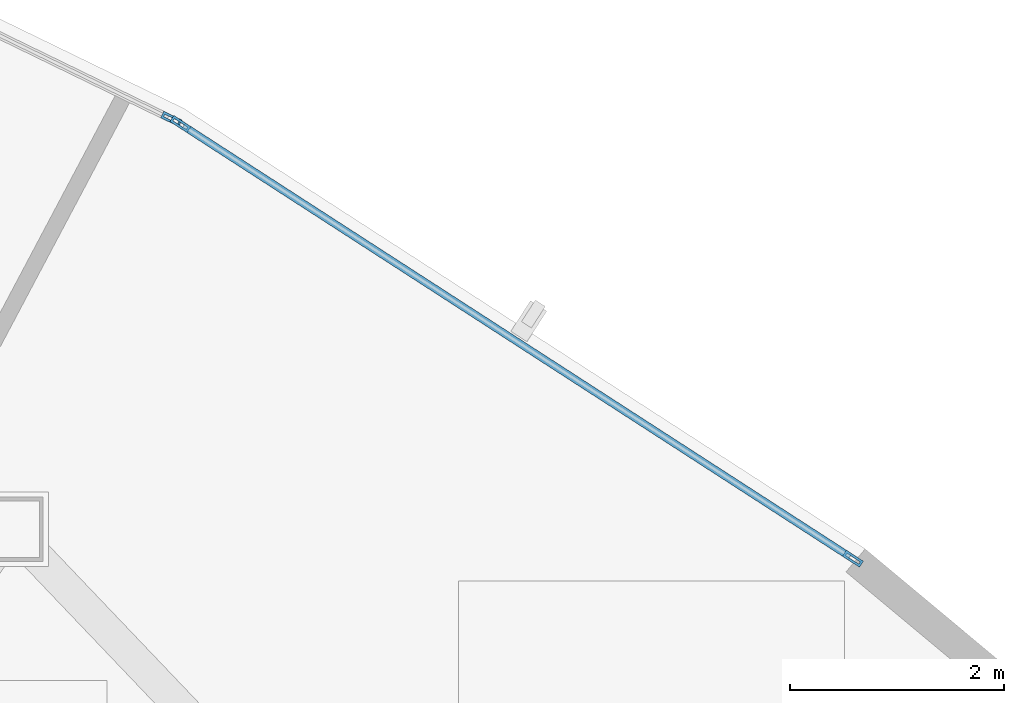
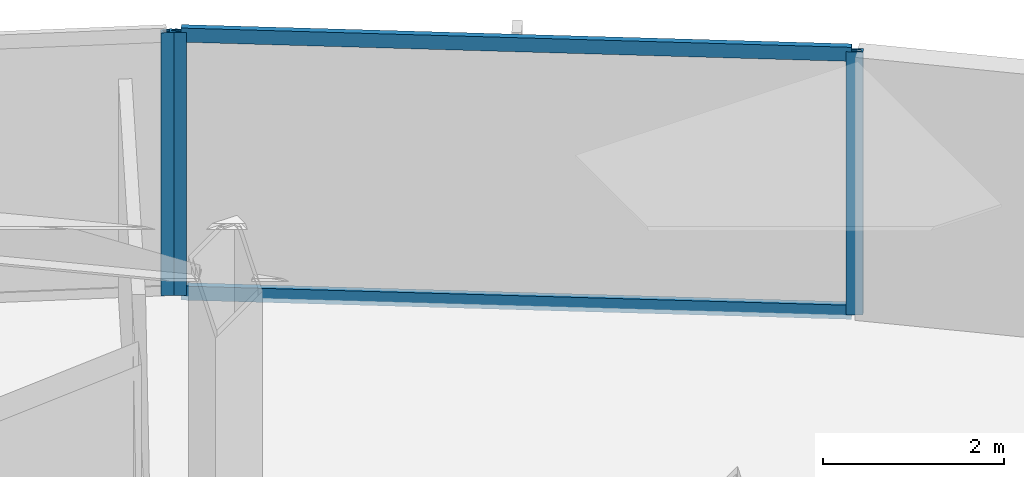
# One storey, part 9 of 17: 5 members, 2 elements without a shape of their own.
"""IFC4 building model written with IfcOpenShell, lengths in metres."""

from ifc_helpers import new_model, si_unit, direction, frame, origin, origin_2d, place, context, subcontext, project, spatial, hollow_rectangle, extrude, source, transform, mapped, material, layer, layer_set, material_profile, profile_set, type_object, type_shapes, element, aggregate, save


model = new_model("IFC4")

# Units and contexts
model_context = context("Model", 3, precision=1e-05, world=origin(), true_north=direction((0.0, 1.0)))
body_context = subcontext(model_context, "Body", "Model", "MODEL_VIEW")
ifc_project = project(units=[si_unit("LENGTHUNIT", "METRE"), si_unit("AREAUNIT", "SQUARE_METRE"), si_unit("VOLUMEUNIT", "CUBIC_METRE"), si_unit("PLANEANGLEUNIT", "RADIAN"), si_unit("MASSUNIT", "GRAM", prefix="KILO")], contexts=[model_context])

# Site, building, storey
site_placement = place(None, origin())
site = spatial("IfcSite", under=ifc_project, at=site_placement, CompositionType="ELEMENT")
building_placement = place(site_placement, origin())
building = spatial("IfcBuilding", under=site, at=building_placement, Name="Tavelor Broadcast Tower", CompositionType="ELEMENT")
storey_placement = place(building_placement, frame((0.0, 0.0, 161.800048828125)))
storey = spatial("IfcBuildingStorey", under=building, at=storey_placement, Name="L38", CompositionType="ELEMENT", Elevation=161.800048828125)

# Curtain wall, members
ifc_material = material(Name="Architectural Anodized Aluminium", Category="aluminium")
ifc_layer = layer(ifc_material, 0.18994140625)
ifc_layer_set = layer_set([ifc_layer], Name="Architectural Anodized Aluminium")
curtain_wall_type = type_object("IfcCurtainWallType", Name="Tower Mid-Zone Acoustic Curtain Wall CW03", PredefinedType="NOTDEFINED", material=ifc_layer_set)
curtain_wall_1_placement = place(storey_placement, origin())
curtain_wall_1 = element("IfcCurtainWall", 1, at=curtain_wall_1_placement, inside=storey, type_object=curtain_wall_type, Name="L38 Curtain Wall CW03 Run 405", PredefinedType="NOTDEFINED")
ifc_material_profile_1 = material_profile(ifc_material, hollow_rectangle(XDim=0.068115234375, YDim=0.18994140625, WallThickness=0.02197265625, at=origin_2d()), Name="RHS 68x190x22")
ifc_profile_set_1 = profile_set([ifc_material_profile_1], Name="Architectural Anodized Aluminium")
member_type_1 = type_object("IfcMemberType", Name="CW03 Extruded Aluminium Mullion 68x190", PredefinedType="MULLION", material=ifc_profile_set_1)
shared_shape_1 = source(origin(), body_context, "Body", "SweptSolid", [
    extrude(hollow_rectangle(XDim=0.068115234375, YDim=0.18994140625, WallThickness=0.02197265625, at=origin_2d()), origin(), (0.0, 0.0, 1.0), 3.550048828125),
])
type_shapes(member_type_1, [shared_shape_1])
member_1_placement = place(storey_placement, frame((70.2041015625, 59.139892578125, 0.0), z_axis=(0.0, 0.0, 1.0), x_axis=(-0.542817775935, -0.839850499869, 0.0)))
member_1 = element("IfcMember", 2, at=member_1_placement, type_object=member_type_1, Name="CW03 mullion 1", PredefinedType="MULLION", context=body_context, shape_type="MappedRepresentation", body=[
    mapped(shared_shape_1, transform((0.0, 0.0, 0.0), scale=1.0)),
])
member_2_placement = place(storey_placement, frame((63.9140625, 63.205322265625, 0.0), z_axis=(0.0, 0.0, 1.0), x_axis=(-0.542817775935, -0.839850499869, 0.0)))
member_2 = element("IfcMember", 3, at=member_2_placement, type_object=member_type_1, Name="CW03 mullion 2", PredefinedType="MULLION", context=body_context, shape_type="MappedRepresentation", body=[
    mapped(shared_shape_1, transform((0.0, 0.0, 0.0), scale=1.0)),
])

# Curtain wall, member
curtain_wall_2_placement = place(storey_placement, origin())
curtain_wall_2 = element("IfcCurtainWall", 4, at=curtain_wall_2_placement, inside=storey, type_object=curtain_wall_type, Name="L38 Curtain Wall CW03 Run 406", PredefinedType="NOTDEFINED")
member_3_placement = place(storey_placement, frame((63.8291015625, 63.253173828125, 0.0), z_axis=(0.0, 0.0, 1.0), x_axis=(-0.437177960717, -0.899375022259, 0.0)))
member_3 = element("IfcMember", 5, at=member_3_placement, type_object=member_type_1, Name="CW03 mullion 1", PredefinedType="MULLION", context=body_context, shape_type="MappedRepresentation", body=[
    mapped(shared_shape_1, transform((0.0, 0.0, 0.0), scale=1.0)),
])
aggregate(curtain_wall_2, [member_3])

# Member
ifc_material_profile_2 = material_profile(ifc_material, hollow_rectangle(XDim=0.068115234375, YDim=0.18994140625, WallThickness=0.02197265625, at=origin_2d()), Name="RHS 68x190x22")
ifc_profile_set_2 = profile_set([ifc_material_profile_2], Name="Architectural Anodized Aluminium")
member_type_2 = type_object("IfcMemberType", Name="CW03 Extruded Aluminium Transom 68x190", PredefinedType="USERDEFINED", material=ifc_profile_set_2)
shared_shape_2 = source(origin(), body_context, "Body", "SweptSolid", [
    extrude(hollow_rectangle(XDim=0.068115234375, YDim=0.18994140625, WallThickness=0.02197265625, at=origin_2d()), origin(), (0.0, 0.0, 1.0), 7.42138671875),
])
type_shapes(member_type_2, [shared_shape_2])
member_4_placement = place(storey_placement, frame((70.175537109375, 59.158203125, 0.033935546875), z_axis=(-0.839846298524, 0.542824276222, 0.0), x_axis=(-0.542824276222, -0.839846298524, 0.0)))
member_4 = element("IfcMember", 6, at=member_4_placement, type_object=member_type_2, Name="CW03 transom 1.1", ObjectType="TRANSOM", PredefinedType="USERDEFINED", context=body_context, shape_type="MappedRepresentation", body=[
    mapped(shared_shape_2, transform((0.0, 0.0, 0.0), scale=1.0)),
])

member_5_placement = place(storey_placement, frame((70.175537109375, 59.158203125, 3.515869140625), z_axis=(-0.839846298524, 0.542824276222, 0.0), x_axis=(-0.542824276222, -0.839846298524, 0.0)))
member_5 = element("IfcMember", 7, at=member_5_placement, type_object=member_type_2, Name="CW03 transom 1.2", ObjectType="TRANSOM", PredefinedType="USERDEFINED", context=body_context, shape_type="MappedRepresentation", body=[
    mapped(shared_shape_2, transform((0.0, 0.0, 0.0), scale=1.0)),
])

aggregate(curtain_wall_1, [member_1, member_2, member_4, member_5])

save(model, "model.ifc")
